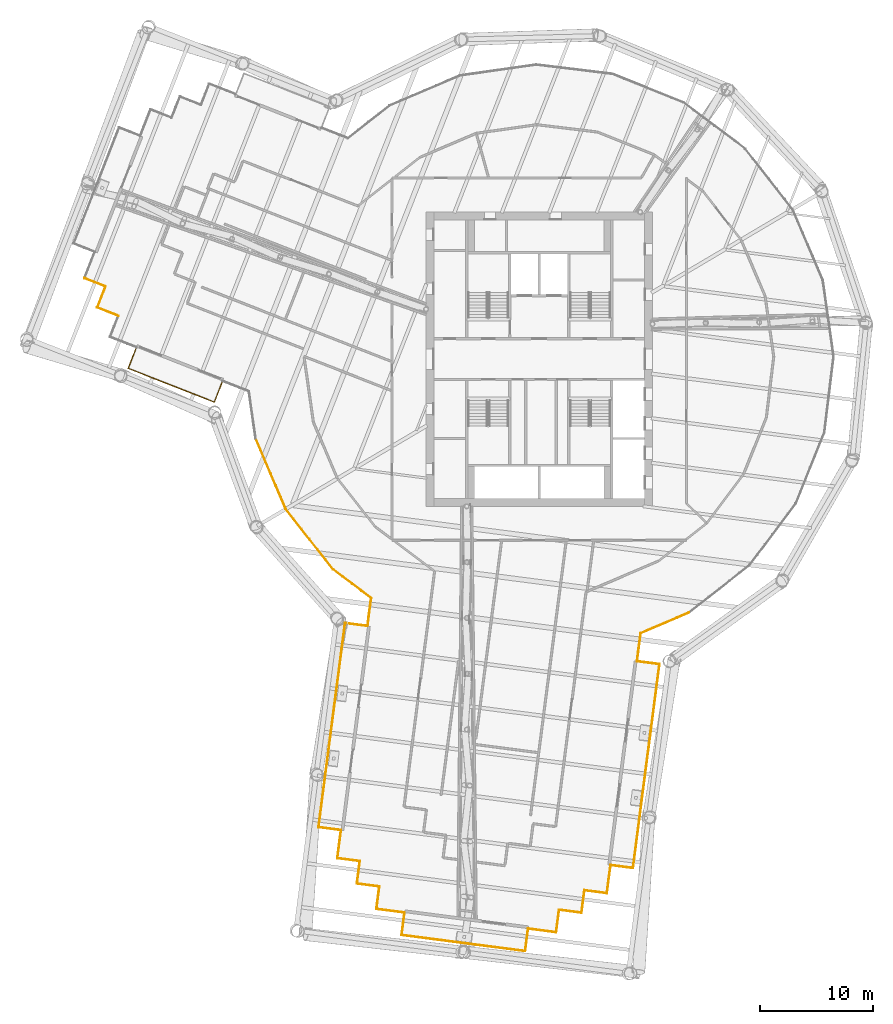
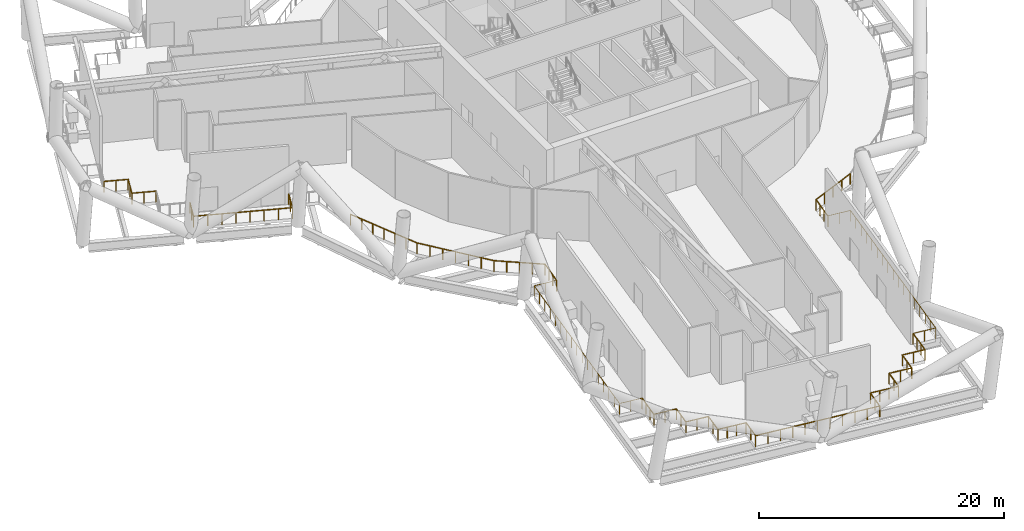
# One storey, part 31 of 36: 25 railings.
"""IFC4 building model written with IfcOpenShell, lengths in metres."""

from ifc_helpers import new_model, si_unit, direction, frame, origin, origin_2d, place, context, subcontext, project, spatial, circle, extrude, material, type_object, element, save


model = new_model("IFC4")

# Units and contexts
model_context = context("Model", 3, precision=1e-05, world=origin(), true_north=direction((0.0, 1.0)))
body_context = subcontext(model_context, "Body", "Model", "MODEL_VIEW")
ifc_project = project(units=[si_unit("LENGTHUNIT", "METRE"), si_unit("AREAUNIT", "SQUARE_METRE"), si_unit("VOLUMEUNIT", "CUBIC_METRE"), si_unit("PLANEANGLEUNIT", "RADIAN"), si_unit("MASSUNIT", "GRAM", prefix="KILO")], contexts=[model_context])

# Site, building, storey
site_placement = place(None, origin())
site = spatial("IfcSite", under=ifc_project, at=site_placement, CompositionType="ELEMENT")
building_placement = place(site_placement, origin())
building = spatial("IfcBuilding", under=site, at=building_placement, Name="Tarsis Ring Headquarters", CompositionType="ELEMENT")
storey_placement = place(building_placement, frame((0.0, 0.0, 194.39990234375)))
storey = spatial("IfcBuildingStorey", under=building, at=storey_placement, Name="L45", CompositionType="ELEMENT", Elevation=194.39990234375)

# Railings
ifc_material = material(Name="Stainless steel guard", Category="steel")
railing_type_1 = type_object("IfcRailingType", Name="Balcony balustrade with mesh infill 1100", PredefinedType="BALUSTRADE", material=ifc_material)
railing_1_placement = place(storey_placement, frame((-35.56884765625, 1.05078125, 0.0)))
element("IfcRailing", 1, at=railing_1_placement, inside=storey, type_object=railing_type_1, Name="Balcony balustrade L45-01", PredefinedType="BALUSTRADE", context=body_context, shape_type="SweptSolid", body=[
    extrude(circle(Radius=0.030029296875, at=origin_2d()), frame((0.0, 0.0, 1.070068359375), z_axis=(-0.364836522357, -0.931071593356, 0.0), x_axis=(0.931071593356, -0.364836522357, 0.0)), (0.0, 0.0, 1.0), 2.000244140625),
    extrude(circle(Radius=0.030029296875, at=origin_2d()), frame((-0.729736328125, -1.8623046875, 1.070068359375), z_axis=(0.931060179423, -0.364865649648, 0.0), x_axis=(0.364865649648, 0.931060179423, 0.0)), (0.0, 0.0, 1.0), 8.172119140625),
    extrude(circle(Radius=0.030029296875, at=origin_2d()), frame((6.87890625, -4.843994140625, 1.070068359375), z_axis=(0.364877989045, 0.931055343742, 0.0), x_axis=(-0.931055343742, 0.364877989045, 0.0)), (0.0, 0.0, 1.0), 2.0),
    extrude(circle(Radius=0.02490234375, at=origin_2d()), origin(), (0.0, 0.0, 1.0), 1.0400390625),
    extrude(circle(Radius=0.02490234375, at=origin_2d()), frame((-0.36474609375, -0.93115234375, 0.0)), (0.0, 0.0, 1.0), 1.0400390625),
    extrude(circle(Radius=0.02490234375, at=origin_2d()), frame((-0.729736328125, -1.8623046875, 0.0)), (0.0, 0.0, 1.0), 1.0400390625),
    extrude(circle(Radius=0.02490234375, at=origin_2d()), frame((0.357177734375, -2.288330078125, 0.0)), (0.0, 0.0, 1.0), 1.0400390625),
    extrude(circle(Radius=0.02490234375, at=origin_2d()), frame((1.444091796875, -2.714111328125, 0.0)), (0.0, 0.0, 1.0), 1.0400390625),
    extrude(circle(Radius=0.02490234375, at=origin_2d()), frame((2.531005859375, -3.14013671875, 0.0)), (0.0, 0.0, 1.0), 1.0400390625),
    extrude(circle(Radius=0.02490234375, at=origin_2d()), frame((3.6181640625, -3.566162109375, 0.0)), (0.0, 0.0, 1.0), 1.0400390625),
    extrude(circle(Radius=0.02490234375, at=origin_2d()), frame((4.705078125, -3.9921875, 0.0)), (0.0, 0.0, 1.0), 1.0400390625),
    extrude(circle(Radius=0.02490234375, at=origin_2d()), frame((5.7919921875, -4.41796875, 0.0)), (0.0, 0.0, 1.0), 1.0400390625),
    extrude(circle(Radius=0.02490234375, at=origin_2d()), frame((6.87890625, -4.843994140625, 0.0)), (0.0, 0.0, 1.0), 1.0400390625),
    extrude(circle(Radius=0.02490234375, at=origin_2d()), frame((7.24365234375, -3.9130859375, 0.0)), (0.0, 0.0, 1.0), 1.0400390625),
    extrude(circle(Radius=0.02490234375, at=origin_2d()), frame((7.608642578125, -2.98193359375, 0.0)), (0.0, 0.0, 1.0), 1.0400390625),
])
railing_2_placement = place(storey_placement, frame((-15.162109375, -23.571533203125, 0.0)))
element("IfcRailing", 2, at=railing_2_placement, inside=storey, type_object=railing_type_1, Name="Balcony balustrade L45-06", PredefinedType="BALUSTRADE", context=body_context, shape_type="SweptSolid", body=[
    extrude(circle(Radius=0.030029296875, at=origin_2d()), frame((0.0, 0.0, 1.070068359375), z_axis=(-0.991673085827, 0.12878078601, 0.0), x_axis=(-0.12878078601, -0.991673085827, 0.0)), (0.0, 0.0, 1.0), 2.0),
    extrude(circle(Radius=0.030029296875, at=origin_2d()), frame((-1.9833984375, 0.257568359375, 1.070068359375), z_axis=(-0.128802136382, -0.991670312989, 0.0), x_axis=(0.991670312989, -0.128802136382, 0.0)), (0.0, 0.0, 1.0), 18.171875),
    extrude(circle(Radius=0.030029296875, at=origin_2d()), frame((-4.323974609375, -17.762939453125, 1.070068359375), z_axis=(0.991673085827, -0.12878078601, 0.0), x_axis=(0.12878078601, 0.991673085827, 0.0)), (0.0, 0.0, 1.0), 2.0),
    extrude(circle(Radius=0.02490234375, at=origin_2d()), origin(), (0.0, 0.0, 1.0), 1.0400390625),
    extrude(circle(Radius=0.02490234375, at=origin_2d()), frame((-0.99169921875, 0.12890625, 0.0)), (0.0, 0.0, 1.0), 1.0400390625),
    extrude(circle(Radius=0.02490234375, at=origin_2d()), frame((-1.9833984375, 0.257568359375, 0.0)), (0.0, 0.0, 1.0), 1.0400390625),
    extrude(circle(Radius=0.02490234375, at=origin_2d()), frame((-2.129638671875, -0.86865234375, 0.0)), (0.0, 0.0, 1.0), 1.0400390625),
    extrude(circle(Radius=0.02490234375, at=origin_2d()), frame((-2.27587890625, -1.9951171875, 0.0)), (0.0, 0.0, 1.0), 1.0400390625),
    extrude(circle(Radius=0.02490234375, at=origin_2d()), frame((-2.42236328125, -3.121337890625, 0.0)), (0.0, 0.0, 1.0), 1.0400390625),
    extrude(circle(Radius=0.02490234375, at=origin_2d()), frame((-2.568603515625, -4.24755859375, 0.0)), (0.0, 0.0, 1.0), 1.0400390625),
    extrude(circle(Radius=0.02490234375, at=origin_2d()), frame((-2.71484375, -5.373779296875, 0.0)), (0.0, 0.0, 1.0), 1.0400390625),
    extrude(circle(Radius=0.02490234375, at=origin_2d()), frame((-2.861083984375, -6.5, 0.0)), (0.0, 0.0, 1.0), 1.0400390625),
    extrude(circle(Radius=0.02490234375, at=origin_2d()), frame((-3.00732421875, -7.62646484375, 0.0)), (0.0, 0.0, 1.0), 1.0400390625),
    extrude(circle(Radius=0.02490234375, at=origin_2d()), frame((-3.15380859375, -8.752685546875, 0.0)), (0.0, 0.0, 1.0), 1.0400390625),
    extrude(circle(Radius=0.02490234375, at=origin_2d()), frame((-3.300048828125, -9.87890625, 0.0)), (0.0, 0.0, 1.0), 1.0400390625),
    extrude(circle(Radius=0.02490234375, at=origin_2d()), frame((-3.4462890625, -11.00537109375, 0.0)), (0.0, 0.0, 1.0), 1.0400390625),
    extrude(circle(Radius=0.02490234375, at=origin_2d()), frame((-3.592529296875, -12.131591796875, 0.0)), (0.0, 0.0, 1.0), 1.0400390625),
    extrude(circle(Radius=0.02490234375, at=origin_2d()), frame((-3.73876953125, -13.2578125, 0.0)), (0.0, 0.0, 1.0), 1.0400390625),
    extrude(circle(Radius=0.02490234375, at=origin_2d()), frame((-3.885009765625, -14.384033203125, 0.0)), (0.0, 0.0, 1.0), 1.0400390625),
    extrude(circle(Radius=0.02490234375, at=origin_2d()), frame((-4.031494140625, -15.51025390625, 0.0)), (0.0, 0.0, 1.0), 1.0400390625),
    extrude(circle(Radius=0.02490234375, at=origin_2d()), frame((-4.177734375, -16.63671875, 0.0)), (0.0, 0.0, 1.0), 1.0400390625),
    extrude(circle(Radius=0.02490234375, at=origin_2d()), frame((-4.323974609375, -17.762939453125, 0.0)), (0.0, 0.0, 1.0), 1.0400390625),
    extrude(circle(Radius=0.02490234375, at=origin_2d()), frame((-3.332275390625, -17.8916015625, 0.0)), (0.0, 0.0, 1.0), 1.0400390625),
    extrude(circle(Radius=0.02490234375, at=origin_2d()), frame((-2.340576171875, -18.0205078125, 0.0)), (0.0, 0.0, 1.0), 1.0400390625),
])
railing_3_placement = place(storey_placement, frame((-11.89404296875, -48.875244140625, 0.0)))
element("IfcRailing", 3, at=railing_3_placement, inside=storey, type_object=railing_type_1, Name="Balcony balustrade L45-11", PredefinedType="BALUSTRADE", context=body_context, shape_type="SweptSolid", body=[
    extrude(circle(Radius=0.030029296875, at=origin_2d()), frame((0.0, 0.0, 1.070068359375), z_axis=(-0.12878078601, -0.991673085827, 0.0), x_axis=(0.991673085827, -0.12878078601, 0.0)), (0.0, 0.0, 1.0), 2.0),
    extrude(circle(Radius=0.030029296875, at=origin_2d()), frame((-0.257568359375, -1.9833984375, 1.070068359375), z_axis=(0.991671300437, -0.128794533615, 0.0), x_axis=(0.128794533615, 0.991671300437, 0.0)), (0.0, 0.0, 1.0), 11.0),
    extrude(circle(Radius=0.030029296875, at=origin_2d()), frame((10.65087890625, -3.400146484375, 1.070068359375), z_axis=(0.12878078601, 0.991673085827, 0.0), x_axis=(-0.991673085827, 0.12878078601, 0.0)), (0.0, 0.0, 1.0), 2.0),
    extrude(circle(Radius=0.02490234375, at=origin_2d()), origin(), (0.0, 0.0, 1.0), 1.0400390625),
    extrude(circle(Radius=0.02490234375, at=origin_2d()), frame((-0.12890625, -0.99169921875, 0.0)), (0.0, 0.0, 1.0), 1.0400390625),
    extrude(circle(Radius=0.02490234375, at=origin_2d()), frame((-0.257568359375, -1.9833984375, 0.0)), (0.0, 0.0, 1.0), 1.0400390625),
    extrude(circle(Radius=0.02490234375, at=origin_2d()), frame((0.833251953125, -2.125, 0.0)), (0.0, 0.0, 1.0), 1.0400390625),
    extrude(circle(Radius=0.02490234375, at=origin_2d()), frame((1.924072265625, -2.266845703125, 0.0)), (0.0, 0.0, 1.0), 1.0400390625),
    extrude(circle(Radius=0.02490234375, at=origin_2d()), frame((3.014892578125, -2.408447265625, 0.0)), (0.0, 0.0, 1.0), 1.0400390625),
    extrude(circle(Radius=0.02490234375, at=origin_2d()), frame((4.105712890625, -2.550048828125, 0.0)), (0.0, 0.0, 1.0), 1.0400390625),
    extrude(circle(Radius=0.02490234375, at=origin_2d()), frame((5.19677734375, -2.69189453125, 0.0)), (0.0, 0.0, 1.0), 1.0400390625),
    extrude(circle(Radius=0.02490234375, at=origin_2d()), frame((6.28759765625, -2.83349609375, 0.0)), (0.0, 0.0, 1.0), 1.0400390625),
    extrude(circle(Radius=0.02490234375, at=origin_2d()), frame((7.37841796875, -2.97509765625, 0.0)), (0.0, 0.0, 1.0), 1.0400390625),
    extrude(circle(Radius=0.02490234375, at=origin_2d()), frame((8.46923828125, -3.11669921875, 0.0)), (0.0, 0.0, 1.0), 1.0400390625),
    extrude(circle(Radius=0.02490234375, at=origin_2d()), frame((9.56005859375, -3.258544921875, 0.0)), (0.0, 0.0, 1.0), 1.0400390625),
    extrude(circle(Radius=0.02490234375, at=origin_2d()), frame((10.65087890625, -3.400146484375, 0.0)), (0.0, 0.0, 1.0), 1.0400390625),
    extrude(circle(Radius=0.02490234375, at=origin_2d()), frame((10.77978515625, -2.408447265625, 0.0)), (0.0, 0.0, 1.0), 1.0400390625),
    extrude(circle(Radius=0.02490234375, at=origin_2d()), frame((10.908447265625, -1.416748046875, 0.0)), (0.0, 0.0, 1.0), 1.0400390625),
])
railing_4_placement = place(storey_placement, frame((6.29736328125, -44.683349609375, 0.0)))
element("IfcRailing", 4, at=railing_4_placement, inside=storey, type_object=railing_type_1, Name="Balcony balustrade L45-16", PredefinedType="BALUSTRADE", context=body_context, shape_type="SweptSolid", body=[
    extrude(circle(Radius=0.030029296875, at=origin_2d()), frame((0.0, 0.0, 1.070068359375), z_axis=(0.991673085827, -0.12878078601, 0.0), x_axis=(0.12878078601, 0.991673085827, 0.0)), (0.0, 0.0, 1.0), 2.0),
    extrude(circle(Radius=0.030029296875, at=origin_2d()), frame((1.9833984375, -0.257568359375, 1.070068359375), z_axis=(0.128799231378, 0.991670690298, 0.0), x_axis=(-0.991670690298, 0.128799231378, 0.0)), (0.0, 0.0, 1.0), 18.1513671875),
    extrude(circle(Radius=0.030029296875, at=origin_2d()), frame((4.3212890625, 17.74267578125, 1.070068359375), z_axis=(-0.991673085827, 0.12878078601, 0.0), x_axis=(-0.12878078601, -0.991673085827, 0.0)), (0.0, 0.0, 1.0), 2.0),
    extrude(circle(Radius=0.02490234375, at=origin_2d()), origin(), (0.0, 0.0, 1.0), 1.0400390625),
    extrude(circle(Radius=0.02490234375, at=origin_2d()), frame((0.99169921875, -0.12890625, 0.0)), (0.0, 0.0, 1.0), 1.0400390625),
    extrude(circle(Radius=0.02490234375, at=origin_2d()), frame((1.9833984375, -0.257568359375, 0.0)), (0.0, 0.0, 1.0), 1.0400390625),
    extrude(circle(Radius=0.02490234375, at=origin_2d()), frame((2.12939453125, 0.867431640625, 0.0)), (0.0, 0.0, 1.0), 1.0400390625),
    extrude(circle(Radius=0.02490234375, at=origin_2d()), frame((2.275634765625, 1.992431640625, 0.0)), (0.0, 0.0, 1.0), 1.0400390625),
    extrude(circle(Radius=0.02490234375, at=origin_2d()), frame((2.421875, 3.117431640625, 0.0)), (0.0, 0.0, 1.0), 1.0400390625),
    extrude(circle(Radius=0.02490234375, at=origin_2d()), frame((2.56787109375, 4.242431640625, 0.0)), (0.0, 0.0, 1.0), 1.0400390625),
    extrude(circle(Radius=0.02490234375, at=origin_2d()), frame((2.7138671875, 5.367431640625, 0.0)), (0.0, 0.0, 1.0), 1.0400390625),
    extrude(circle(Radius=0.02490234375, at=origin_2d()), frame((2.860107421875, 6.492431640625, 0.0)), (0.0, 0.0, 1.0), 1.0400390625),
    extrude(circle(Radius=0.02490234375, at=origin_2d()), frame((3.00634765625, 7.617431640625, 0.0)), (0.0, 0.0, 1.0), 1.0400390625),
    extrude(circle(Radius=0.02490234375, at=origin_2d()), frame((3.15234375, 8.74267578125, 0.0)), (0.0, 0.0, 1.0), 1.0400390625),
    extrude(circle(Radius=0.02490234375, at=origin_2d()), frame((3.29833984375, 9.86767578125, 0.0)), (0.0, 0.0, 1.0), 1.0400390625),
    extrude(circle(Radius=0.02490234375, at=origin_2d()), frame((3.444580078125, 10.99267578125, 0.0)), (0.0, 0.0, 1.0), 1.0400390625),
    extrude(circle(Radius=0.02490234375, at=origin_2d()), frame((3.5908203125, 12.11767578125, 0.0)), (0.0, 0.0, 1.0), 1.0400390625),
    extrude(circle(Radius=0.02490234375, at=origin_2d()), frame((3.73681640625, 13.24267578125, 0.0)), (0.0, 0.0, 1.0), 1.0400390625),
    extrude(circle(Radius=0.02490234375, at=origin_2d()), frame((3.8828125, 14.36767578125, 0.0)), (0.0, 0.0, 1.0), 1.0400390625),
    extrude(circle(Radius=0.02490234375, at=origin_2d()), frame((4.029052734375, 15.49267578125, 0.0)), (0.0, 0.0, 1.0), 1.0400390625),
    extrude(circle(Radius=0.02490234375, at=origin_2d()), frame((4.17529296875, 16.61767578125, 0.0)), (0.0, 0.0, 1.0), 1.0400390625),
    extrude(circle(Radius=0.02490234375, at=origin_2d()), frame((4.3212890625, 17.74267578125, 0.0)), (0.0, 0.0, 1.0), 1.0400390625),
    extrude(circle(Radius=0.02490234375, at=origin_2d()), frame((3.32958984375, 17.87158203125, 0.0)), (0.0, 0.0, 1.0), 1.0400390625),
    extrude(circle(Radius=0.02490234375, at=origin_2d()), frame((2.337890625, 18.000244140625, 0.0)), (0.0, 0.0, 1.0), 1.0400390625),
])
railing_type_2 = type_object("IfcRailingType", Name="Guard rail with mesh infill 1100", PredefinedType="GUARDRAIL", material=ifc_material)
railing_5_placement = place(storey_placement, frame((-25.042236328125, -6.991943359375, 0.0)))
element("IfcRailing", 5, at=railing_5_placement, inside=storey, type_object=railing_type_2, Name="Guard L45-03", PredefinedType="GUARDRAIL", context=body_context, shape_type="SweptSolid", body=[
    extrude(circle(Radius=0.030029296875, at=origin_2d()), frame((0.0, 0.0, 1.070068359375), z_axis=(0.392325481057, -0.919826460216, 0.0), x_axis=(0.919826460216, 0.392325481057, 0.0)), (0.0, 0.0, 1.0), 6.787353515625),
    extrude(circle(Radius=0.02490234375, at=origin_2d()), origin(), (0.0, 0.0, 1.0), 1.0400390625),
    extrude(circle(Radius=0.02490234375, at=origin_2d()), frame((0.44384765625, -1.04052734375, 0.0)), (0.0, 0.0, 1.0), 1.0400390625),
    extrude(circle(Radius=0.02490234375, at=origin_2d()), frame((0.8876953125, -2.0810546875, 0.0)), (0.0, 0.0, 1.0), 1.0400390625),
    extrude(circle(Radius=0.02490234375, at=origin_2d()), frame((1.33154296875, -3.12158203125, 0.0)), (0.0, 0.0, 1.0), 1.0400390625),
    extrude(circle(Radius=0.02490234375, at=origin_2d()), frame((1.775146484375, -4.162109375, 0.0)), (0.0, 0.0, 1.0), 1.0400390625),
    extrude(circle(Radius=0.02490234375, at=origin_2d()), frame((2.218994140625, -5.20263671875, 0.0)), (0.0, 0.0, 1.0), 1.0400390625),
    extrude(circle(Radius=0.02490234375, at=origin_2d()), frame((2.662841796875, -6.2431640625, 0.0)), (0.0, 0.0, 1.0), 1.0400390625),
])
railing_6_placement = place(storey_placement, frame((-22.37939453125, -13.235107421875, 0.0)))
element("IfcRailing", 6, at=railing_6_placement, inside=storey, type_object=railing_type_2, Name="Guard L45-04", PredefinedType="GUARDRAIL", context=body_context, shape_type="SweptSolid", body=[
    extrude(circle(Radius=0.030029296875, at=origin_2d()), frame((0.0, 0.0, 1.070068359375), z_axis=(0.617063514443, -0.786913349196, 0.0), x_axis=(0.786913349196, 0.617063514443, 0.0)), (0.0, 0.0, 1.0), 6.787353515625),
    extrude(circle(Radius=0.02490234375, at=origin_2d()), origin(), (0.0, 0.0, 1.0), 1.0400390625),
    extrude(circle(Radius=0.02490234375, at=origin_2d()), frame((0.697998046875, -0.89013671875, 0.0)), (0.0, 0.0, 1.0), 1.0400390625),
    extrude(circle(Radius=0.02490234375, at=origin_2d()), frame((1.39599609375, -1.7802734375, 0.0)), (0.0, 0.0, 1.0), 1.0400390625),
    extrude(circle(Radius=0.02490234375, at=origin_2d()), frame((2.09423828125, -2.67041015625, 0.0)), (0.0, 0.0, 1.0), 1.0400390625),
    extrude(circle(Radius=0.02490234375, at=origin_2d()), frame((2.792236328125, -3.560791015625, 0.0)), (0.0, 0.0, 1.0), 1.0400390625),
    extrude(circle(Radius=0.02490234375, at=origin_2d()), frame((3.490234375, -4.450927734375, 0.0)), (0.0, 0.0, 1.0), 1.0400390625),
    extrude(circle(Radius=0.02490234375, at=origin_2d()), frame((4.188232421875, -5.341064453125, 0.0)), (0.0, 0.0, 1.0), 1.0400390625),
])
railing_7_placement = place(storey_placement, frame((-18.191162109375, -18.576171875, 0.0)))
element("IfcRailing", 7, at=railing_7_placement, inside=storey, type_object=railing_type_2, Name="Guard L45-05", PredefinedType="GUARDRAIL", context=body_context, shape_type="SweptSolid", body=[
    extrude(circle(Radius=0.030029296875, at=origin_2d()), frame((0.0, 0.0, 1.070068359375), z_axis=(0.79967828927, -0.600428708233, 0.0), x_axis=(0.600428708233, 0.79967828927, 0.0)), (0.0, 0.0, 1.0), 4.1904296875),
    extrude(circle(Radius=0.02490234375, at=origin_2d()), origin(), (0.0, 0.0, 1.0), 1.0400390625),
    extrude(circle(Radius=0.02490234375, at=origin_2d()), frame((0.837890625, -0.62890625, 0.0)), (0.0, 0.0, 1.0), 1.0400390625),
    extrude(circle(Radius=0.02490234375, at=origin_2d()), frame((1.675537109375, -1.258056640625, 0.0)), (0.0, 0.0, 1.0), 1.0400390625),
    extrude(circle(Radius=0.02490234375, at=origin_2d()), frame((2.51318359375, -1.88720703125, 0.0)), (0.0, 0.0, 1.0), 1.0400390625),
    extrude(circle(Radius=0.02490234375, at=origin_2d()), frame((3.35107421875, -2.51611328125, 0.0)), (0.0, 0.0, 1.0), 1.0400390625),
])
for number, where, name in (
    (8, (-14.840087890625, -21.09228515625, 0.0), "Guard L45-06a"),
    (9, (-17.502685546875, -41.592041015625, 0.0), "Guard L45-06b"),
):
    element("IfcRailing", number, at=place(storey_placement, frame(where)), inside=storey, type_object=railing_type_2, Name=name, PredefinedType="GUARDRAIL", context=body_context, shape_type="SweptSolid", body=[
        extrude(circle(Radius=0.030029296875, at=origin_2d()), frame((0.0, 0.0, 1.070068359375), z_axis=(-0.128804794432, -0.991669967747, 0.0), x_axis=(0.991669967747, -0.128804794432, 0.0)), (0.0, 0.0, 1.0), 2.5),
        extrude(circle(Radius=0.02490234375, at=origin_2d()), origin(), (0.0, 0.0, 1.0), 1.0400390625),
        extrude(circle(Radius=0.02490234375, at=origin_2d()), frame((-0.107421875, -0.826416015625, 0.0)), (0.0, 0.0, 1.0), 1.0400390625),
        extrude(circle(Radius=0.02490234375, at=origin_2d()), frame((-0.214599609375, -1.65283203125, 0.0)), (0.0, 0.0, 1.0), 1.0400390625),
        extrude(circle(Radius=0.02490234375, at=origin_2d()), frame((-0.322021484375, -2.479248046875, 0.0)), (0.0, 0.0, 1.0), 1.0400390625),
    ])
railing_8_placement = place(storey_placement, frame((-17.82470703125, -44.0712890625, 0.0)))
element("IfcRailing", 10, at=railing_8_placement, inside=storey, type_object=railing_type_2, Name="Guard L45-07", PredefinedType="GUARDRAIL", context=body_context, shape_type="SweptSolid", body=[
    extrude(circle(Radius=0.030029296875, at=origin_2d()), frame((0.0, 0.0, 1.070068359375), z_axis=(0.991673085827, -0.12878078601, 0.0), x_axis=(0.12878078601, 0.991673085827, 0.0)), (0.0, 0.0, 1.0), 2.0),
    extrude(circle(Radius=0.02490234375, at=origin_2d()), origin(), (0.0, 0.0, 1.0), 1.0400390625),
    extrude(circle(Radius=0.02490234375, at=origin_2d()), frame((0.99169921875, -0.12890625, 0.0)), (0.0, 0.0, 1.0), 1.0400390625),
    extrude(circle(Radius=0.02490234375, at=origin_2d()), frame((1.9833984375, -0.257568359375, 0.0)), (0.0, 0.0, 1.0), 1.0400390625),
])
railing_9_placement = place(storey_placement, frame((-15.84130859375, -44.328857421875, 0.0)))
element("IfcRailing", 11, at=railing_9_placement, inside=storey, type_object=railing_type_2, Name="Guard L45-08", PredefinedType="GUARDRAIL", context=body_context, shape_type="SweptSolid", body=[
    extrude(circle(Radius=0.030029296875, at=origin_2d()), frame((0.0, 0.0, 1.070068359375), z_axis=(-0.12878078601, -0.991673085827, 0.0), x_axis=(0.991673085827, -0.12878078601, 0.0)), (0.0, 0.0, 1.0), 2.0),
    extrude(circle(Radius=0.02490234375, at=origin_2d()), origin(), (0.0, 0.0, 1.0), 1.0400390625),
    extrude(circle(Radius=0.02490234375, at=origin_2d()), frame((-0.12890625, -0.99169921875, 0.0)), (0.0, 0.0, 1.0), 1.0400390625),
    extrude(circle(Radius=0.02490234375, at=origin_2d()), frame((-0.257568359375, -1.9833984375, 0.0)), (0.0, 0.0, 1.0), 1.0400390625),
])
railing_10_placement = place(storey_placement, frame((-16.098876953125, -46.312255859375, 0.0)))
element("IfcRailing", 12, at=railing_10_placement, inside=storey, type_object=railing_type_2, Name="Guard L45-09", PredefinedType="GUARDRAIL", context=body_context, shape_type="SweptSolid", body=[
    extrude(circle(Radius=0.030029296875, at=origin_2d()), frame((0.0, 0.0, 1.070068359375), z_axis=(0.991673085827, -0.12878078601, 0.0), x_axis=(0.12878078601, 0.991673085827, 0.0)), (0.0, 0.0, 1.0), 2.0),
    extrude(circle(Radius=0.02490234375, at=origin_2d()), origin(), (0.0, 0.0, 1.0), 1.0400390625),
    extrude(circle(Radius=0.02490234375, at=origin_2d()), frame((0.99169921875, -0.12890625, 0.0)), (0.0, 0.0, 1.0), 1.0400390625),
    extrude(circle(Radius=0.02490234375, at=origin_2d()), frame((1.9833984375, -0.257568359375, 0.0)), (0.0, 0.0, 1.0), 1.0400390625),
])
railing_11_placement = place(storey_placement, frame((-14.115478515625, -46.56982421875, 0.0)))
element("IfcRailing", 13, at=railing_11_placement, inside=storey, type_object=railing_type_2, Name="Guard L45-10", PredefinedType="GUARDRAIL", context=body_context, shape_type="SweptSolid", body=[
    extrude(circle(Radius=0.030029296875, at=origin_2d()), frame((0.0, 0.0, 1.070068359375), z_axis=(-0.12878078601, -0.991673085827, 0.0), x_axis=(0.991673085827, -0.12878078601, 0.0)), (0.0, 0.0, 1.0), 2.0),
    extrude(circle(Radius=0.02490234375, at=origin_2d()), origin(), (0.0, 0.0, 1.0), 1.0400390625),
    extrude(circle(Radius=0.02490234375, at=origin_2d()), frame((-0.12890625, -0.99169921875, 0.0)), (0.0, 0.0, 1.0), 1.0400390625),
    extrude(circle(Radius=0.02490234375, at=origin_2d()), frame((-0.257568359375, -1.9833984375, 0.0)), (0.0, 0.0, 1.0), 1.0400390625),
])
railing_12_placement = place(storey_placement, frame((-14.373046875, -48.55322265625, 0.0)))
element("IfcRailing", 14, at=railing_12_placement, inside=storey, type_object=railing_type_2, Name="Guard L45-11a", PredefinedType="GUARDRAIL", context=body_context, shape_type="SweptSolid", body=[
    extrude(circle(Radius=0.030029296875, at=origin_2d()), frame((0.0, 0.0, 1.070068359375), z_axis=(0.991668347376, -0.128817269075, 0.0), x_axis=(0.128817269075, 0.991668347376, 0.0)), (0.0, 0.0, 1.0), 2.499755859375),
    extrude(circle(Radius=0.02490234375, at=origin_2d()), origin(), (0.0, 0.0, 1.0), 1.0400390625),
    extrude(circle(Radius=0.02490234375, at=origin_2d()), frame((0.826416015625, -0.107421875, 0.0)), (0.0, 0.0, 1.0), 1.0400390625),
    extrude(circle(Radius=0.02490234375, at=origin_2d()), frame((1.652587890625, -0.214599609375, 0.0)), (0.0, 0.0, 1.0), 1.0400390625),
    extrude(circle(Radius=0.02490234375, at=origin_2d()), frame((2.47900390625, -0.322021484375, 0.0)), (0.0, 0.0, 1.0), 1.0400390625),
])
railing_13_placement = place(storey_placement, frame((-0.985595703125, -50.2919921875, 0.0)))
element("IfcRailing", 15, at=railing_13_placement, inside=storey, type_object=railing_type_2, Name="Guard L45-11b", PredefinedType="GUARDRAIL", context=body_context, shape_type="SweptSolid", body=[
    extrude(circle(Radius=0.030029296875, at=origin_2d()), frame((0.0, 0.0, 1.070068359375), z_axis=(0.991669967747, -0.128804794432, 0.0), x_axis=(0.128804794432, 0.991669967747, 0.0)), (0.0, 0.0, 1.0), 2.5),
    extrude(circle(Radius=0.02490234375, at=origin_2d()), origin(), (0.0, 0.0, 1.0), 1.0400390625),
    extrude(circle(Radius=0.02490234375, at=origin_2d()), frame((0.826416015625, -0.107421875, 0.0)), (0.0, 0.0, 1.0), 1.0400390625),
    extrude(circle(Radius=0.02490234375, at=origin_2d()), frame((1.65283203125, -0.214599609375, 0.0)), (0.0, 0.0, 1.0), 1.0400390625),
    extrude(circle(Radius=0.02490234375, at=origin_2d()), frame((2.479248046875, -0.322021484375, 0.0)), (0.0, 0.0, 1.0), 1.0400390625),
])
railing_14_placement = place(storey_placement, frame((1.49365234375, -50.614013671875, 0.0)))
element("IfcRailing", 16, at=railing_14_placement, inside=storey, type_object=railing_type_2, Name="Guard L45-12", PredefinedType="GUARDRAIL", context=body_context, shape_type="SweptSolid", body=[
    extrude(circle(Radius=0.030029296875, at=origin_2d()), frame((0.0, 0.0, 1.070068359375), z_axis=(0.12878078601, 0.991673085827, 0.0), x_axis=(-0.991673085827, 0.12878078601, 0.0)), (0.0, 0.0, 1.0), 2.0),
    extrude(circle(Radius=0.02490234375, at=origin_2d()), origin(), (0.0, 0.0, 1.0), 1.0400390625),
    extrude(circle(Radius=0.02490234375, at=origin_2d()), frame((0.12890625, 0.99169921875, 0.0)), (0.0, 0.0, 1.0), 1.0400390625),
    extrude(circle(Radius=0.02490234375, at=origin_2d()), frame((0.257568359375, 1.9833984375, 0.0)), (0.0, 0.0, 1.0), 1.0400390625),
])
railing_15_placement = place(storey_placement, frame((1.751220703125, -48.630615234375, 0.0)))
element("IfcRailing", 17, at=railing_15_placement, inside=storey, type_object=railing_type_2, Name="Guard L45-13", PredefinedType="GUARDRAIL", context=body_context, shape_type="SweptSolid", body=[
    extrude(circle(Radius=0.030029296875, at=origin_2d()), frame((0.0, 0.0, 1.070068359375), z_axis=(0.991673085827, -0.12878078601, 0.0), x_axis=(0.12878078601, 0.991673085827, 0.0)), (0.0, 0.0, 1.0), 2.0),
    extrude(circle(Radius=0.02490234375, at=origin_2d()), origin(), (0.0, 0.0, 1.0), 1.0400390625),
    extrude(circle(Radius=0.02490234375, at=origin_2d()), frame((0.99169921875, -0.12890625, 0.0)), (0.0, 0.0, 1.0), 1.0400390625),
    extrude(circle(Radius=0.02490234375, at=origin_2d()), frame((1.9833984375, -0.257568359375, 0.0)), (0.0, 0.0, 1.0), 1.0400390625),
])
railing_16_placement = place(storey_placement, frame((3.734619140625, -48.88818359375, 0.0)))
element("IfcRailing", 18, at=railing_16_placement, inside=storey, type_object=railing_type_2, Name="Guard L45-14", PredefinedType="GUARDRAIL", context=body_context, shape_type="SweptSolid", body=[
    extrude(circle(Radius=0.030029296875, at=origin_2d()), frame((0.0, 0.0, 1.070068359375), z_axis=(0.12878078601, 0.991673085827, 0.0), x_axis=(-0.991673085827, 0.12878078601, 0.0)), (0.0, 0.0, 1.0), 2.0),
    extrude(circle(Radius=0.02490234375, at=origin_2d()), origin(), (0.0, 0.0, 1.0), 1.0400390625),
    extrude(circle(Radius=0.02490234375, at=origin_2d()), frame((0.12890625, 0.99169921875, 0.0)), (0.0, 0.0, 1.0), 1.0400390625),
    extrude(circle(Radius=0.02490234375, at=origin_2d()), frame((0.257568359375, 1.9833984375, 0.0)), (0.0, 0.0, 1.0), 1.0400390625),
])
railing_17_placement = place(storey_placement, frame((3.9921875, -46.90478515625, 0.0)))
element("IfcRailing", 19, at=railing_17_placement, inside=storey, type_object=railing_type_2, Name="Guard L45-15", PredefinedType="GUARDRAIL", context=body_context, shape_type="SweptSolid", body=[
    extrude(circle(Radius=0.030029296875, at=origin_2d()), frame((0.0, 0.0, 1.070068359375), z_axis=(0.991671061039, -0.12879637688, 0.0), x_axis=(0.12879637688, 0.991671061039, 0.0)), (0.0, 0.0, 1.0), 1.999755859375),
    extrude(circle(Radius=0.02490234375, at=origin_2d()), origin(), (0.0, 0.0, 1.0), 1.0400390625),
    extrude(circle(Radius=0.02490234375, at=origin_2d()), frame((0.99169921875, -0.12890625, 0.0)), (0.0, 0.0, 1.0), 1.0400390625),
    extrude(circle(Radius=0.02490234375, at=origin_2d()), frame((1.983154296875, -0.257568359375, 0.0)), (0.0, 0.0, 1.0), 1.0400390625),
])
railing_18_placement = place(storey_placement, frame((5.975341796875, -47.162353515625, 0.0)))
element("IfcRailing", 20, at=railing_18_placement, inside=storey, type_object=railing_type_2, Name="Guard L45-16a", PredefinedType="GUARDRAIL", context=body_context, shape_type="SweptSolid", body=[
    extrude(circle(Radius=0.030029296875, at=origin_2d()), frame((0.0, 0.0, 1.070068359375), z_axis=(0.128817269075, 0.991668347376, 0.0), x_axis=(-0.991668347376, 0.128817269075, 0.0)), (0.0, 0.0, 1.0), 2.499755859375),
    extrude(circle(Radius=0.02490234375, at=origin_2d()), origin(), (0.0, 0.0, 1.0), 1.0400390625),
    extrude(circle(Radius=0.02490234375, at=origin_2d()), frame((0.107421875, 0.826416015625, 0.0)), (0.0, 0.0, 1.0), 1.0400390625),
    extrude(circle(Radius=0.02490234375, at=origin_2d()), frame((0.214599609375, 1.652587890625, 0.0)), (0.0, 0.0, 1.0), 1.0400390625),
    extrude(circle(Radius=0.02490234375, at=origin_2d()), frame((0.322021484375, 2.47900390625, 0.0)), (0.0, 0.0, 1.0), 1.0400390625),
])
railing_19_placement = place(storey_placement, frame((8.63525390625, -26.68310546875, 0.0)))
element("IfcRailing", 21, at=railing_19_placement, inside=storey, type_object=railing_type_2, Name="Guard L45-16b", PredefinedType="GUARDRAIL", context=body_context, shape_type="SweptSolid", body=[
    extrude(circle(Radius=0.030029296875, at=origin_2d()), frame((0.0, 0.0, 1.070068359375), z_axis=(0.128804794432, 0.991669967747, 0.0), x_axis=(-0.991669967747, 0.128804794432, 0.0)), (0.0, 0.0, 1.0), 2.5),
    extrude(circle(Radius=0.02490234375, at=origin_2d()), origin(), (0.0, 0.0, 1.0), 1.0400390625),
    extrude(circle(Radius=0.02490234375, at=origin_2d()), frame((0.107421875, 0.826416015625, 0.0)), (0.0, 0.0, 1.0), 1.0400390625),
    extrude(circle(Radius=0.02490234375, at=origin_2d()), frame((0.214599609375, 1.65283203125, 0.0)), (0.0, 0.0, 1.0), 1.0400390625),
    extrude(circle(Radius=0.02490234375, at=origin_2d()), frame((0.322021484375, 2.479248046875, 0.0)), (0.0, 0.0, 1.0), 1.0400390625),
])
railing_20_placement = place(storey_placement, frame((8.957275390625, -24.203857421875, 0.0)))
element("IfcRailing", 22, at=railing_20_placement, inside=storey, type_object=railing_type_2, Name="Guard L45-17", PredefinedType="GUARDRAIL", context=body_context, shape_type="SweptSolid", body=[
    extrude(circle(Radius=0.030029296875, at=origin_2d()), frame((0.0, 0.0, 1.070068359375), z_axis=(0.919836015078, 0.392303078455, 0.0), x_axis=(-0.392303078455, 0.919836015078, 0.0)), (0.0, 0.0, 1.0), 4.650634765625),
    extrude(circle(Radius=0.02490234375, at=origin_2d()), origin(), (0.0, 0.0, 1.0), 1.0400390625),
    extrude(circle(Radius=0.02490234375, at=origin_2d()), frame((1.0693359375, 0.4560546875, 0.0)), (0.0, 0.0, 1.0), 1.0400390625),
    extrude(circle(Radius=0.02490234375, at=origin_2d()), frame((2.138916015625, 0.912109375, 0.0)), (0.0, 0.0, 1.0), 1.0400390625),
    extrude(circle(Radius=0.02490234375, at=origin_2d()), frame((3.20849609375, 1.368408203125, 0.0)), (0.0, 0.0, 1.0), 1.0400390625),
    extrude(circle(Radius=0.02490234375, at=origin_2d()), frame((4.27783203125, 1.824462890625, 0.0)), (0.0, 0.0, 1.0), 1.0400390625),
])
railing_21_placement = place(storey_placement, frame((-40.1611328125, 7.146728515625, 0.0)))
element("IfcRailing", 23, at=railing_21_placement, inside=storey, type_object=railing_type_2, Name="Guard L45-37", PredefinedType="GUARDRAIL", context=body_context, shape_type="SweptSolid", body=[
    extrude(circle(Radius=0.030029296875, at=origin_2d()), frame((0.0, 0.0, 1.070068359375), z_axis=(0.931055343742, -0.364877989045, 0.0), x_axis=(0.364877989045, 0.931055343742, 0.0)), (0.0, 0.0, 1.0), 2.0),
    extrude(circle(Radius=0.02490234375, at=origin_2d()), origin(), (0.0, 0.0, 1.0), 1.0400390625),
    extrude(circle(Radius=0.02490234375, at=origin_2d()), frame((0.93115234375, -0.36474609375, 0.0)), (0.0, 0.0, 1.0), 1.0400390625),
    extrude(circle(Radius=0.02490234375, at=origin_2d()), frame((1.862060546875, -0.729736328125, 0.0)), (0.0, 0.0, 1.0), 1.0400390625),
])
railing_22_placement = place(storey_placement, frame((-38.299072265625, 6.4169921875, 0.0)))
element("IfcRailing", 24, at=railing_22_placement, inside=storey, type_object=railing_type_2, Name="Guard L45-38", PredefinedType="GUARDRAIL", context=body_context, shape_type="SweptSolid", body=[
    extrude(circle(Radius=0.030029296875, at=origin_2d()), frame((0.0, 0.0, 1.070068359375), z_axis=(-0.364836522357, -0.931071593356, 0.0), x_axis=(0.931071593356, -0.364836522357, 0.0)), (0.0, 0.0, 1.0), 2.000244140625),
    extrude(circle(Radius=0.02490234375, at=origin_2d()), origin(), (0.0, 0.0, 1.0), 1.0400390625),
    extrude(circle(Radius=0.02490234375, at=origin_2d()), frame((-0.36474609375, -0.93115234375, 0.0)), (0.0, 0.0, 1.0), 1.0400390625),
    extrude(circle(Radius=0.02490234375, at=origin_2d()), frame((-0.729736328125, -1.8623046875, 0.0)), (0.0, 0.0, 1.0), 1.0400390625),
])
railing_23_placement = place(storey_placement, frame((-39.02880859375, 4.5546875, 0.0)))
element("IfcRailing", 25, at=railing_23_placement, inside=storey, type_object=railing_type_2, Name="Guard L45-39", PredefinedType="GUARDRAIL", context=body_context, shape_type="SweptSolid", body=[
    extrude(circle(Radius=0.030029296875, at=origin_2d()), frame((0.0, 0.0, 1.070068359375), z_axis=(0.931055343742, -0.364877989045, 0.0), x_axis=(0.364877989045, 0.931055343742, 0.0)), (0.0, 0.0, 1.0), 2.0),
    extrude(circle(Radius=0.02490234375, at=origin_2d()), origin(), (0.0, 0.0, 1.0), 1.0400390625),
    extrude(circle(Radius=0.02490234375, at=origin_2d()), frame((0.93115234375, -0.36474609375, 0.0)), (0.0, 0.0, 1.0), 1.0400390625),
    extrude(circle(Radius=0.02490234375, at=origin_2d()), frame((1.862060546875, -0.729736328125, 0.0)), (0.0, 0.0, 1.0), 1.0400390625),
])

save(model, "model.ifc")
